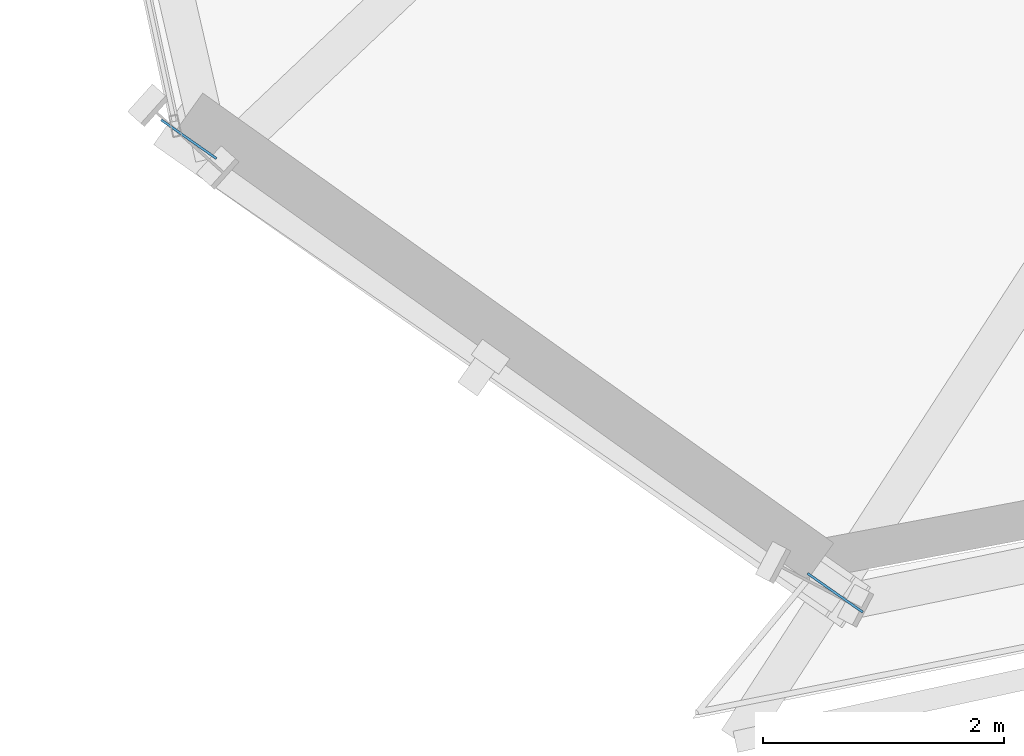
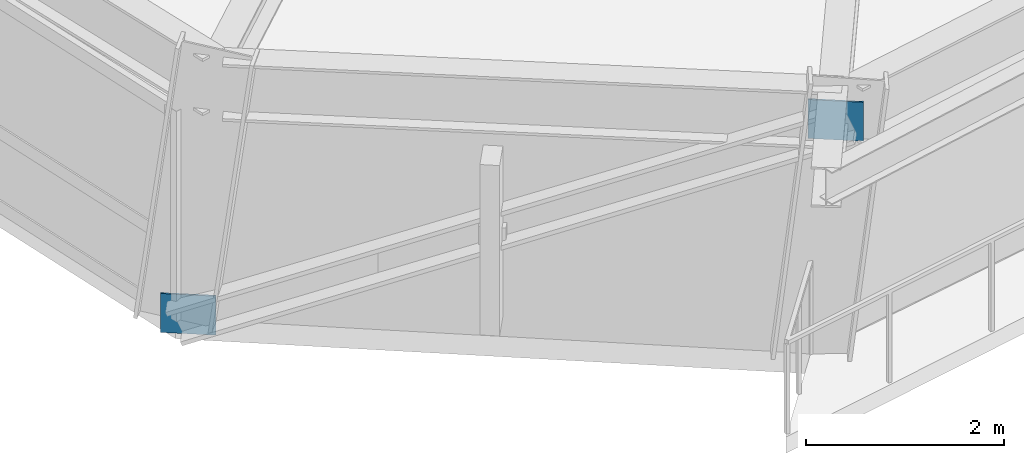
# One storey, part 15 of 24: 2 plates.
"""IFC4 building model written with IfcOpenShell, lengths in metres."""

from ifc_helpers import new_model, si_unit, direction, frame, origin, origin_2d, place, context, subcontext, project, spatial, rectangle, extrude, source, transform, mapped, material, type_object, element, save


model = new_model("IFC4")

# Units and contexts
model_context = context("Model", 3, precision=1e-05, world=origin(), true_north=direction((0.0, 1.0)))
body_context = subcontext(model_context, "Body", "Model", "MODEL_VIEW")
ifc_project = project(units=[si_unit("LENGTHUNIT", "METRE"), si_unit("AREAUNIT", "SQUARE_METRE"), si_unit("VOLUMEUNIT", "CUBIC_METRE"), si_unit("PLANEANGLEUNIT", "RADIAN"), si_unit("MASSUNIT", "GRAM", prefix="KILO")], contexts=[model_context])

# Site, building, storey
site_placement = place(None, origin())
site = spatial("IfcSite", under=ifc_project, at=site_placement, CompositionType="ELEMENT")
building_placement = place(site_placement, origin())
building = spatial("IfcBuilding", under=site, at=building_placement, Name="Olszyna Solenne Hotel", CompositionType="ELEMENT")
storey_placement = place(building_placement, frame((0.0, 0.0, 29.300048828125)))
storey = spatial("IfcBuildingStorey", under=building, at=storey_placement, Name="L06", CompositionType="ELEMENT", Elevation=29.300048828125)

# Plates
ifc_material = material(Name="Steel S355J2", Category="steel")
plate_type = type_object("IfcPlateType", Name="GP-ND2", PredefinedType="USERDEFINED", material=ifc_material)
shared_shape = source(origin(), body_context, "Body", "SweptSolid", [
    extrude(rectangle(XDim=0.56005859375, YDim=0.02001953125, at=origin_2d()), origin(), (0.0, 0.0, 1.0), 0.47998046875),
])
for number, where, z_axis, x_axis, name in (
    (1, (18.91064453125, 8.96337890625, -0.175048828125), (0.0, 0.0, 1.0), (0.818550947409, -0.574433935711, 0.0), "Brace end connection gusset plate GP-ND2 EP-BR-L06-3-1"),
    (2, (24.2802734375, 5.19482421875, 2.6201171875), (0.0, 0.0, 1.0), (0.818550947409, -0.574433935711, 0.0), "Brace end connection gusset plate GP-ND2 EP-BR-L06-3-2"),
):
    element("IfcPlate", number, at=place(storey_placement, frame(where, z_axis=z_axis, x_axis=x_axis)), inside=storey, type_object=plate_type, Name=name, ObjectType="GUSSET_PLATE", PredefinedType="USERDEFINED", context=body_context, shape_type="MappedRepresentation", body=[
        mapped(shared_shape, transform((0.0, 0.0, 0.0), x_axis=(1.0, 0.0, 0.0), y_axis=(0.0, 1.0, 0.0), z_axis=(0.0, 0.0, 1.0), scale=1.0)),
    ])

save(model, "model.ifc")
